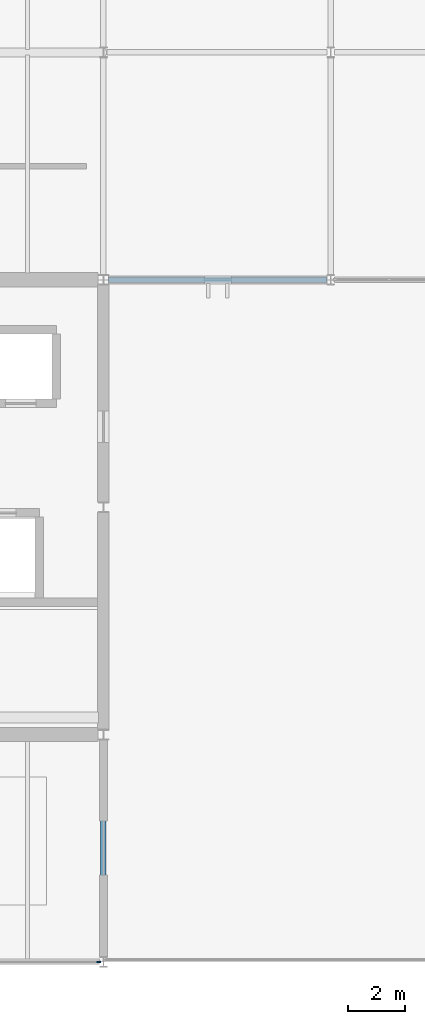
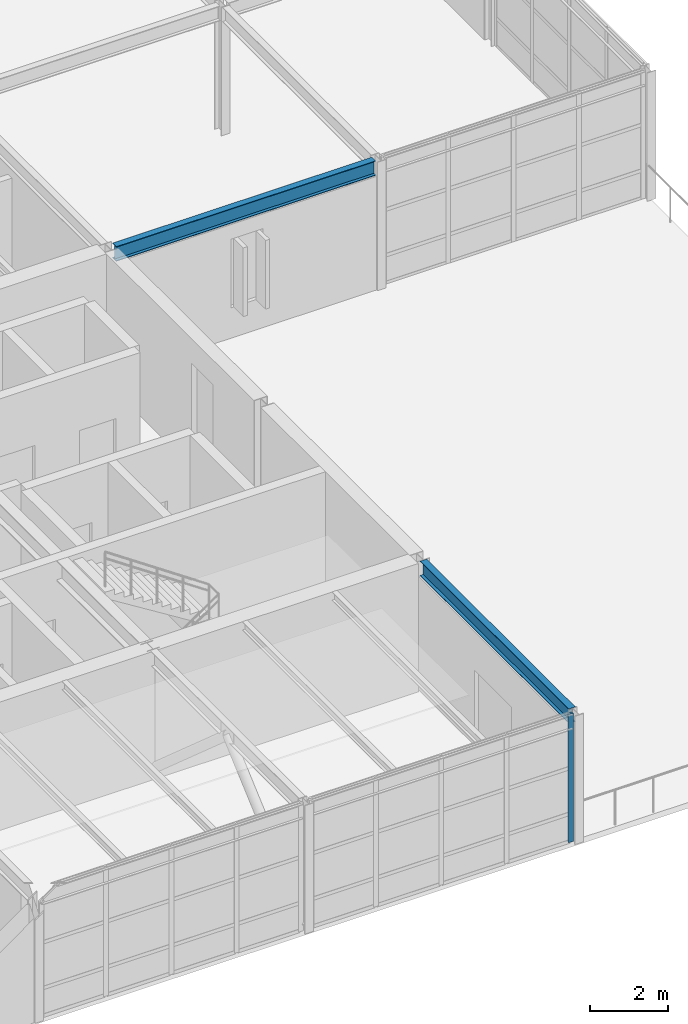
# One storey, part 9 of 21: 2 beams, 1 member, 1 element without a shape of its own.
"""IFC4 building model written with IfcOpenShell, lengths in metres."""

from ifc_helpers import new_model, si_unit, direction, frame, origin, origin_2d, place, context, subcontext, project, spatial, rectangle, i_section, extrude, material, layer, layer_set, material_profile, profile_set, type_object, element, aggregate, save


model = new_model("IFC4")

# Units and contexts
model_context = context("Model", 3, precision=1e-05, world=origin(), true_north=direction((0.0, 1.0)))
body_context = subcontext(model_context, "Body", "Model", "MODEL_VIEW")
ifc_project = project(units=[si_unit("LENGTHUNIT", "METRE"), si_unit("AREAUNIT", "SQUARE_METRE"), si_unit("VOLUMEUNIT", "CUBIC_METRE"), si_unit("PLANEANGLEUNIT", "RADIAN"), si_unit("MASSUNIT", "GRAM", prefix="KILO")], contexts=[model_context])

# Site, building, storey
site_placement = place(None, origin())
site = spatial("IfcSite", under=ifc_project, at=site_placement, CompositionType="ELEMENT")
building_placement = place(site_placement, origin())
building = spatial("IfcBuilding", under=site, at=building_placement, Name="Varnela Railside Interchange", CompositionType="ELEMENT")
storey_placement = place(building_placement, frame((0.0, 0.0, 23.800048828125)))
storey = spatial("IfcBuildingStorey", under=building, at=storey_placement, Name="L05", CompositionType="ELEMENT", Elevation=23.800048828125)

# Curtain wall, member
ifc_material_1 = material(Name="Aluminium 6063-T6", Category="aluminium")
ifc_layer = layer(ifc_material_1, 0.035888671875)
ifc_layer_set = layer_set([ifc_layer], Name="Aluminium 6063-T6")
curtain_wall_type = type_object("IfcCurtainWallType", Name="Operations Wing Facade Curtain Wall CW-03", PredefinedType="USERDEFINED", material=ifc_layer_set)
curtain_wall_placement = place(storey_placement, origin())
curtain_wall = element("IfcCurtainWall", 1, at=curtain_wall_placement, inside=storey, type_object=curtain_wall_type, Name="Curtain Wall CW-03 (L05) (CW-123)", ObjectType="CURTAIN WALL", PredefinedType="USERDEFINED")
ifc_material_profile_1 = material_profile(ifc_material_1, rectangle(XDim=0.06005859375, YDim=0.139892578125, at=origin_2d()), Name="ALU 60x140")
ifc_profile_set_1 = profile_set([ifc_material_profile_1], Name="Aluminium 6063-T6")
member_type = type_object("IfcMemberType", Name="Curtain Wall Mullion ML-01", PredefinedType="MULLION", material=ifc_profile_set_1)
member_placement = place(storey_placement, frame((35.841552734375, 46.0, 0.0), z_axis=(0.0, 0.0, 1.0), x_axis=(0.0, -1.0, 0.0)))
member = element("IfcMember", 2, at=member_placement, type_object=member_type, Name="CW-03 mullion 1", PredefinedType="MULLION", context=body_context, shape_type="SweptSolid", body=[
    extrude(rectangle(XDim=0.06005859375, YDim=0.139892578125, at=origin_2d()), origin(), (0.0, 0.0, 1.0), 4.02001953125),
])
aggregate(curtain_wall, [member])

# Beams
ifc_material_2 = material(Name="Steel AR 350 (350 MPa)", Category="steel")
ifc_material_profile_2 = material_profile(ifc_material_2, i_section(OverallWidth=0.19091796875, OverallDepth=0.4599609375, WebThickness=0.010009765625, FlangeThickness=0.01611328125, at=origin_2d()), Name="W460x82")
ifc_profile_set_2 = profile_set([ifc_material_profile_2], Name="Steel AR 350 (350 MPa)")
beam_type = type_object("IfcBeamType", Name="Steel Perimeter Spandrel SP-01", PredefinedType="SPANDREL", material=ifc_profile_set_2)
beam_1_placement = place(storey_placement, frame((36.18505859375, 70.0, 3.7900390625), z_axis=(1.0, 0.0, 0.0), x_axis=(0.0, 1.0, 0.0)))
element("IfcBeam", 3, at=beam_1_placement, inside=storey, type_object=beam_type, Name="Steel Perimeter Spandrel SP-01 (L05) (BM-2582)", PredefinedType="SPANDREL", context=body_context, shape_type="SweptSolid", body=[
    extrude(i_section(OverallWidth=0.19091796875, OverallDepth=0.4599609375, WebThickness=0.010009765625, FlangeThickness=0.01611328125, at=origin_2d()), origin(), (0.0, 0.0, 1.0), 7.6865234375),
])
beam_2_placement = place(storey_placement, frame((36.0, 46.181396484375, 3.7900390625), z_axis=(0.0, 1.0, 0.0), x_axis=(-1.0, 0.0, 0.0)))
element("IfcBeam", 4, at=beam_2_placement, inside=storey, type_object=beam_type, Name="Steel Perimeter Spandrel SP-01 (L05) (BM-2622)", PredefinedType="SPANDREL", context=body_context, shape_type="SweptSolid", body=[
    extrude(i_section(OverallWidth=0.19091796875, OverallDepth=0.4599609375, WebThickness=0.010009765625, FlangeThickness=0.01611328125, at=origin_2d()), origin(), (0.0, 0.0, 1.0), 7.638671875),
])

save(model, "model.ifc")
